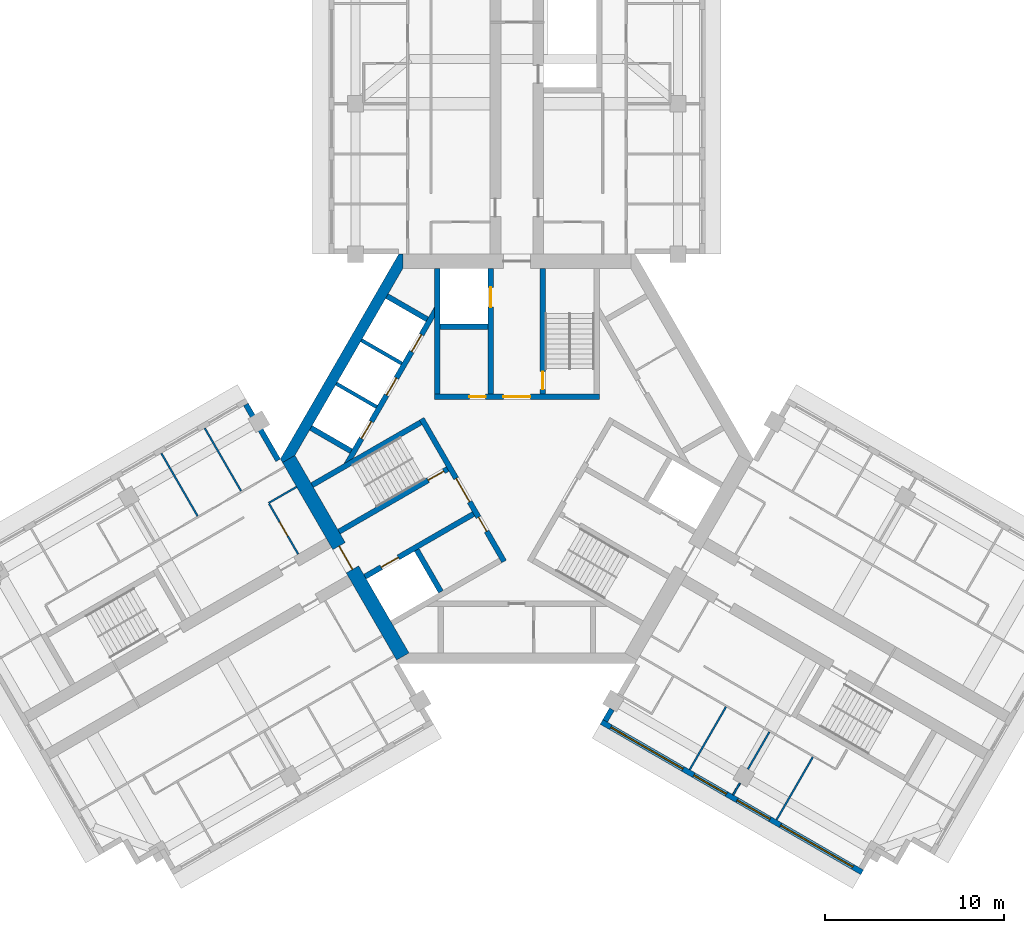
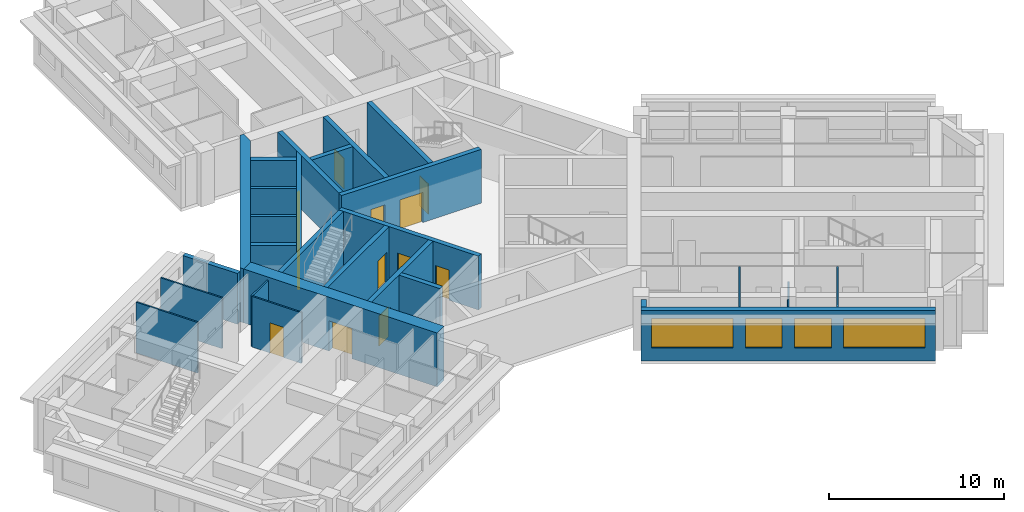
# One storey, part 4 of 10: 28 walls, 13 doors, 4 windows, 17 openings.
"""IFC4 building model written with IfcOpenShell, lengths in metres."""

import ifcopenshell
import ifcopenshell.guid

model = None  # the IFC model being written
_history = None  # IfcOwnerHistory: only IFC2X3 demands one
_inside = {}  # id of a spatial element -> (the spatial element, [elements in it])
_under = {}  # id of a project, library or spatial element -> (it, [spatial elements below it])
_declared = {}  # id of a project -> (the project, [libraries it declares])
_typed = {}  # id of a type object -> (the type object, [elements of that type])
_made_of = {}  # id of a material, layer set ... -> (it, [elements and type objects made of it])


def new_model(schema):
    """Start an empty IFC model of exactly this schema.

    Asked for "IFC4X3", IfcOpenShell would pick the latest addendum, in which some entities
    have other attributes; the version numbers below select the first issue.
    IFC2X3 requires an IfcOwnerHistory on every rooted entity: one is made here for all.
    """
    global model, _history
    if schema == "IFC4X3":
        model = ifcopenshell.file(schema_version=(4, 3, 0, 0))
    else:
        model = ifcopenshell.file(schema=schema)
    _inside.clear()
    _under.clear()
    _declared.clear()
    _typed.clear()
    _made_of.clear()
    _history = None
    if model.schema == "IFC2X3":
        org = make("IfcOrganization", Name="unknown")
        user = make(
            "IfcPersonAndOrganization",
            ThePerson=make("IfcPerson", FamilyName="unknown"),
            TheOrganization=org,
        )
        app = make(
            "IfcApplication",
            ApplicationDeveloper=org,
            Version="unknown",
            ApplicationFullName="unknown",
            ApplicationIdentifier="unknown",
        )
        _history = make(
            "IfcOwnerHistory",
            OwningUser=user,
            OwningApplication=app,
            ChangeAction="ADDED",
            CreationDate=0,
        )
    return model


def make(cls, **values):
    """One entity of the class cls with the attributes given. An attribute that is None is left unset."""
    return model.create_entity(
        cls, **{name: value for name, value in values.items() if value is not None}
    )


def rooted(cls, **values):
    """An entity with a GlobalId (a new one), such as an element, a storey or a relation."""
    return make(cls, GlobalId=ifcopenshell.guid.new(), OwnerHistory=_history, **values)


def si_unit(unit_type, name, prefix=None):
    """IfcSIUnit, for example si_unit("LENGTHUNIT", "METRE", prefix="MILLI")."""
    return make("IfcSIUnit", UnitType=unit_type, Prefix=prefix, Name=name)


def assignment(units):
    """IfcUnitAssignment: the units of a project."""
    return None if units is None else make("IfcUnitAssignment", Units=units)


def point(xyz):
    """IfcCartesianPoint."""
    return None if xyz is None else make("IfcCartesianPoint", Coordinates=xyz)


def direction(xyz):
    """IfcDirection."""
    return None if xyz is None else make("IfcDirection", DirectionRatios=xyz)


def frame(location, z_axis=None, x_axis=None):
    """IfcAxis2Placement3D, a coordinate frame: its origin and axes. An axis left out is left unset."""
    return make(
        "IfcAxis2Placement3D",
        Location=point(location),
        Axis=direction(z_axis),
        RefDirection=direction(x_axis),
    )


def frame_2d(location, x_axis=None):
    """IfcAxis2Placement2D, a coordinate frame in the plane: its origin and x axis."""
    return make(
        "IfcAxis2Placement2D", Location=point(location), RefDirection=direction(x_axis)
    )


def origin():
    """The frame at (0, 0, 0) with its axes left unset."""
    return frame((0.0, 0.0, 0.0))


def place(relative_to, where):
    """IfcLocalPlacement: puts the frame where relative to a parent placement (None: the world)."""
    return make(
        "IfcLocalPlacement", PlacementRelTo=relative_to, RelativePlacement=where
    )


def context(
    kind, dimensions, precision=None, world=None, true_north=None, identifier=None
):
    """IfcGeometricRepresentationContext, for example the 3D "Model" context."""
    return make(
        "IfcGeometricRepresentationContext",
        ContextIdentifier=identifier,
        ContextType=kind,
        CoordinateSpaceDimension=dimensions,
        Precision=precision,
        WorldCoordinateSystem=world,
        TrueNorth=true_north,
    )


def subcontext(parent, identifier, kind, view, scale=None):
    """IfcGeometricRepresentationSubContext, for example "Body" below "Model"."""
    return make(
        "IfcGeometricRepresentationSubContext",
        ContextIdentifier=identifier,
        ContextType=kind,
        ParentContext=parent,
        TargetScale=scale,
        TargetView=view,
    )


def project(units=None, contexts=None):
    """IfcProject with its units and contexts."""
    return rooted(
        "IfcProject",
        Name="project",
        RepresentationContexts=contexts,
        UnitsInContext=assignment(units),
    )


def spatial(cls, under=None, at=None, **own):
    """A site, building, storey or space (cls), placed at a placement, below another one or the project."""
    s = rooted(cls, ObjectPlacement=at, **own)
    if under is not None:
        _under.setdefault(under.id(), (under, []))[1].append(s)
    return s


def polyline(points):
    """IfcPolyline through the points."""
    return make("IfcPolyline", Points=[point(p) for p in points])


def profile(cls, at=None, kind="AREA", **sizes):
    """A parametric profile (cls). Its sizes go by their IFC names, for example OverallWidth=200.0."""
    return make(cls, ProfileType=kind, Position=at, **sizes)


def rectangle(**sizes):
    """IfcRectangleProfileDef."""
    return profile("IfcRectangleProfileDef", **sizes)


def outline(outer, holes=None, kind="AREA"):
    """IfcArbitraryClosedProfileDef: a profile drawn as a closed curve; with holes, ...WithVoids."""
    if holes is None:
        return make("IfcArbitraryClosedProfileDef", ProfileType=kind, OuterCurve=outer)
    return make(
        "IfcArbitraryProfileDefWithVoids",
        ProfileType=kind,
        OuterCurve=outer,
        InnerCurves=holes,
    )


def extrude(swept, where, along, depth):
    """IfcExtrudedAreaSolid: the profile swept, set in the frame where, extruded along a direction by depth."""
    return make(
        "IfcExtrudedAreaSolid",
        SweptArea=swept,
        Position=where,
        ExtrudedDirection=direction(along),
        Depth=depth,
    )


def shape(context_of_items, identifier, shape_type, items):
    """IfcShapeRepresentation: the items that make up one representation, for example the "Body"."""
    return make(
        "IfcShapeRepresentation",
        ContextOfItems=context_of_items,
        RepresentationIdentifier=identifier,
        RepresentationType=shape_type,
        Items=items,
    )


def material(Name=None, Category=None):
    """IfcMaterial."""
    return make("IfcMaterial", Name=Name, Category=Category)


def layer(
    of_material, thickness, ventilated=None, Name=None, Category=None, Priority=None
):
    """IfcMaterialLayer: one layer of a wall or slab, of a material (None: an air gap)."""
    return make(
        "IfcMaterialLayer",
        Material=of_material,
        LayerThickness=thickness,
        IsVentilated=ventilated,
        Name=Name,
        Category=Category,
        Priority=Priority,
    )


def layer_set(layers, Name=None):
    """IfcMaterialLayerSet."""
    return make("IfcMaterialLayerSet", MaterialLayers=layers, LayerSetName=Name)


def made_of(thing, what):
    """Note that an element or type object is made of a material, layer set ...; save() writes the relation."""
    if what is not None:
        _made_of.setdefault(what.id(), (what, []))[1].append(thing)
    return thing


def type_object(cls, material=None, **own):
    """A type object (cls), such as IfcWallType, which elements share."""
    return made_of(rooted(cls, **own), material)


def element(
    cls,
    number,
    at=None,
    inside=None,
    cuts=None,
    type_object=None,
    material=None,
    context=None,
    identifier="Body",
    shape_type=None,
    held_by="IfcProductDefinitionShape",
    body=None,
    shapes=None,
    **own,
):
    """One element of the class cls, such as IfcWall. Its Tag is "e" and its number.

    at: its placement. inside: the storey or other place that contains it. cuts: it is an
    opening in that element (IfcRelVoidsElement). A single representation is given by context,
    identifier, shape_type and body (its items); several are given by shapes. held_by: the class
    of the entity that holds the representations. save() writes the other relations.
    """
    e = rooted(cls, Tag="e%d" % number, ObjectPlacement=at, **own)
    if body is not None:
        shapes = [shape(context, identifier, shape_type, body)]
    if shapes is not None:
        e.Representation = make(held_by, Representations=shapes)
    if inside is not None:
        _inside.setdefault(inside.id(), (inside, []))[1].append(e)
    if cuts is not None:
        rooted(
            "IfcRelVoidsElement", RelatingBuildingElement=cuts, RelatedOpeningElement=e
        )
    if type_object is not None:
        _typed.setdefault(type_object.id(), (type_object, []))[1].append(e)
    return made_of(e, material)


def fill(opening, filler):
    """IfcRelFillsElement: the door or window that sits in an opening."""
    return rooted(
        "IfcRelFillsElement",
        RelatingOpeningElement=opening,
        RelatedBuildingElement=filler,
    )


def aggregate(whole, parts):
    """IfcRelAggregates: a whole, such as a stair, and the parts it consists of."""
    return rooted("IfcRelAggregates", RelatingObject=whole, RelatedObjects=parts)


def save(model, path):
    """Write the relations noted so far, then the file.

    IfcRelAggregates (storeys below a building ...), IfcRelContainedInSpatialStructure (elements
    in a storey), IfcRelDefinesByType, IfcRelAssociatesMaterial and IfcRelDeclares: one each for
    every whole, place, type object, material and project.
    """
    for whole, parts in _under.values():
        aggregate(whole, parts)
    for where, things in _inside.values():
        rooted(
            "IfcRelContainedInSpatialStructure",
            RelatedElements=things,
            RelatingStructure=where,
        )
    for kind, things in _typed.values():
        rooted("IfcRelDefinesByType", RelatedObjects=things, RelatingType=kind)
    for what, things in _made_of.values():
        rooted("IfcRelAssociatesMaterial", RelatedObjects=things, RelatingMaterial=what)
    for by, libraries in _declared.values():
        rooted("IfcRelDeclares", RelatingContext=by, RelatedDefinitions=libraries)
    model.write(path)


model = new_model("IFC4")

# Units and contexts
model_context = context("Model", 3, precision=1e-05, world=origin(), true_north=direction((0.0, 1.0)))
body_context = subcontext(model_context, "Body", "Model", "MODEL_VIEW")
ifc_project = project(units=[si_unit("LENGTHUNIT", "METRE"), si_unit("AREAUNIT", "SQUARE_METRE"), si_unit("VOLUMEUNIT", "CUBIC_METRE"), si_unit("PLANEANGLEUNIT", "RADIAN"), si_unit("MASSUNIT", "GRAM", prefix="KILO")], contexts=[model_context])

# Site, building, storey
site_placement = place(None, origin())
site = spatial("IfcSite", under=ifc_project, at=site_placement, CompositionType="ELEMENT")
building_placement = place(site_placement, origin())
building = spatial("IfcBuilding", under=site, at=building_placement, Name="Impinga Residences", CompositionType="ELEMENT")
storey_placement = place(building_placement, frame((0.0, 0.0, 271.0)))
storey = spatial("IfcBuildingStorey", under=building, at=storey_placement, Name="L68", CompositionType="ELEMENT", Elevation=271.0)

# Wall
ifc_material_1 = material(Name="Terracotta rainscreen on blockwork", Category="masonry")
ifc_layer_1 = layer(ifc_material_1, 0.300048828125)
ifc_layer_set_1 = layer_set([ifc_layer_1], Name="EW1 external wall, terracotta rainscreen on blockwork 300")
wall_type_1 = type_object("IfcWallType", Name="EW1 external wall, terracotta rainscreen on blockwork 300", PredefinedType="SOLIDWALL", material=ifc_layer_set_1)
wall_1_placement = place(storey_placement, frame((-15.1298828125, 3.042724609375, 0.0), z_axis=(0.0, 0.0, 1.0), x_axis=(0.500012057535, -0.866018442252, 0.0)))
element("IfcWall", 1, at=wall_1_placement, inside=storey, type_object=wall_type_1, Name="External wall EW1 L68", PredefinedType="SOLIDWALL", context=body_context, shape_type="SweptSolid", body=[
    extrude(rectangle(XDim=3.60009765625, YDim=0.300048828125, at=frame_2d((1.800048828125, 0.0))), origin(), (0.0, 0.0, 1.0), 3.530029296875),
])

# Wall, openings, windows
wall_2_placement = place(storey_placement, frame((19.274169921875, -23.0791015625, 0.0), z_axis=(0.0, 0.0, 1.0), x_axis=(-0.86602562146, 0.499999622975, 0.0)))
wall_2 = element("IfcWall", 2, at=wall_2_placement, inside=storey, type_object=wall_type_1, Name="External wall EW1 L68", PredefinedType="SOLIDWALL", context=body_context, shape_type="SweptSolid", body=[
    extrude(rectangle(XDim=16.7998046875, YDim=0.300048828125, at=frame_2d((8.39990234375, 0.0))), origin(), (0.0, 0.0, 1.0), 3.530029296875),
])
opening_1_placement = place(wall_2_placement, frame((0.60009765625, 0.0, 0.89990234375)))
opening_1 = element("IfcOpeningElement", 3, at=opening_1_placement, cuts=wall_2, Name="Opening W10", PredefinedType="OPENING", context=body_context, shape_type="SweptSolid", body=[
    extrude(rectangle(XDim=4.64990234375, YDim=2.050048828125, at=frame_2d((2.324951171875, 1.02490234375))), frame((0.0, 0.159912109375, 0.0), z_axis=(0.0, -1.0, 0.0), x_axis=(1.0, 0.0, 0.0)), (0.0, 0.0, 1.0), 0.320068359375),
])
opening_2_placement = place(wall_2_placement, frame((5.949951171875, 0.0, 0.89990234375)))
opening_2 = element("IfcOpeningElement", 4, at=opening_2_placement, cuts=wall_2, Name="Opening W9", PredefinedType="OPENING", context=body_context, shape_type="SweptSolid", body=[
    extrude(rectangle(XDim=2.10009765625, YDim=2.050048828125, at=frame_2d((1.050048828125, 1.02490234375))), frame((0.0, 0.159912109375, 0.0), z_axis=(0.0, -1.0, 0.0), x_axis=(1.0, 0.0, 0.0)), (0.0, 0.0, 1.0), 0.320068359375),
])
opening_3_placement = place(wall_2_placement, frame((8.75, 0.0, 0.89990234375)))
opening_3 = element("IfcOpeningElement", 5, at=opening_3_placement, cuts=wall_2, Name="Opening W9", PredefinedType="OPENING", context=body_context, shape_type="SweptSolid", body=[
    extrude(rectangle(XDim=2.10009765625, YDim=2.050048828125, at=frame_2d((1.050048828125, 1.02490234375))), frame((0.0, 0.159912109375, 0.0), z_axis=(0.0, -1.0, 0.0), x_axis=(1.0, 0.0, 0.0)), (0.0, 0.0, 1.0), 0.320068359375),
])
opening_4_placement = place(wall_2_placement, frame((11.550048828125, 0.0, 0.89990234375)))
opening_4 = element("IfcOpeningElement", 6, at=opening_4_placement, cuts=wall_2, Name="Opening W10", PredefinedType="OPENING", context=body_context, shape_type="SweptSolid", body=[
    extrude(rectangle(XDim=4.64990234375, YDim=2.050048828125, at=frame_2d((2.324951171875, 1.02490234375))), frame((0.0, 0.159912109375, 0.0), z_axis=(0.0, -1.0, 0.0), x_axis=(1.0, 0.0, 0.0)), (0.0, 0.0, 1.0), 0.320068359375),
])
ifc_material_2 = material(Name="Aluminium window, clear double glazing", Category="aluminium")
window_type_1 = type_object("IfcWindowType", Name="W10 ribbon window 4650x2050", PartitioningType="SINGLE_PANEL", PredefinedType="WINDOW", material=ifc_material_2)
window_1_placement = place(opening_1_placement, origin())
window_1 = element("IfcWindow", 7, at=window_1_placement, inside=storey, type_object=window_type_1, Name="Window L68", OverallHeight=2.050048828125, OverallWidth=4.64990234375, PartitioningType="SINGLE_PANEL", PredefinedType="WINDOW", context=body_context, shape_type="SweptSolid", body=[
    extrude(rectangle(XDim=4.64990234375, YDim=2.050048828125, at=frame_2d((2.324951171875, 1.02490234375))), frame((0.0, 0.030029296875, 0.0), z_axis=(0.0, -1.0, 0.0), x_axis=(1.0, 0.0, 0.0)), (0.0, 0.0, 1.0), 0.06005859375),
])
fill(opening_1, window_1)
window_2_placement = place(opening_4_placement, origin())
window_2 = element("IfcWindow", 8, at=window_2_placement, inside=storey, type_object=window_type_1, Name="Window L68", OverallHeight=2.050048828125, OverallWidth=4.64990234375, PartitioningType="SINGLE_PANEL", PredefinedType="WINDOW", context=body_context, shape_type="SweptSolid", body=[
    extrude(rectangle(XDim=4.64990234375, YDim=2.050048828125, at=frame_2d((2.324951171875, 1.02490234375))), frame((0.0, 0.030029296875, 0.0), z_axis=(0.0, -1.0, 0.0), x_axis=(1.0, 0.0, 0.0)), (0.0, 0.0, 1.0), 0.06005859375),
])
fill(opening_4, window_2)
window_type_2 = type_object("IfcWindowType", Name="W9 ribbon window 2100x2050", PartitioningType="SINGLE_PANEL", PredefinedType="WINDOW", material=ifc_material_2)
window_3_placement = place(opening_2_placement, origin())
window_3 = element("IfcWindow", 9, at=window_3_placement, inside=storey, type_object=window_type_2, Name="Window L68", OverallHeight=2.050048828125, OverallWidth=2.10009765625, PartitioningType="SINGLE_PANEL", PredefinedType="WINDOW", context=body_context, shape_type="SweptSolid", body=[
    extrude(rectangle(XDim=2.10009765625, YDim=2.050048828125, at=frame_2d((1.050048828125, 1.02490234375))), frame((0.0, 0.030029296875, 0.0), z_axis=(0.0, -1.0, 0.0), x_axis=(1.0, 0.0, 0.0)), (0.0, 0.0, 1.0), 0.06005859375),
])
fill(opening_2, window_3)
window_4_placement = place(opening_3_placement, origin())
window_4 = element("IfcWindow", 10, at=window_4_placement, inside=storey, type_object=window_type_2, Name="Window L68", OverallHeight=2.050048828125, OverallWidth=2.10009765625, PartitioningType="SINGLE_PANEL", PredefinedType="WINDOW", context=body_context, shape_type="SweptSolid", body=[
    extrude(rectangle(XDim=2.10009765625, YDim=2.050048828125, at=frame_2d((1.050048828125, 1.02490234375))), frame((0.0, 0.030029296875, 0.0), z_axis=(0.0, -1.0, 0.0), x_axis=(1.0, 0.0, 0.0)), (0.0, 0.0, 1.0), 0.06005859375),
])
fill(opening_3, window_4)

# Walls
wall_3_placement = place(storey_placement, frame((4.929931640625, -14.624267578125, 0.0), z_axis=(0.0, 0.0, 1.0), x_axis=(0.499919672301, 0.866071776036, 0.0)))
element("IfcWall", 11, at=wall_3_placement, inside=storey, type_object=wall_type_1, Name="External wall EW1 L68", PredefinedType="SOLIDWALL", context=body_context, shape_type="SweptSolid", body=[
    extrude(rectangle(XDim=0.75, YDim=0.300048828125, at=frame_2d((0.375, 0.0))), origin(), (0.0, 0.0, 1.0), 3.530029296875),
])
ifc_material_3 = material(Name="Gypsum board on steel studs", Category="steel")
ifc_layer_2 = layer(ifc_material_3, 0.10009765625)
ifc_layer_set_2 = layer_set([ifc_layer_2], Name="Gypsum board on steel studs")
wall_type_2 = type_object("IfcWallType", Name="IP1 partition 100", PredefinedType="PARTITIONING", material=ifc_layer_set_2)
wall_4_placement = place(storey_placement, frame((-12.300048828125, -1.558837890625, 0.0), z_axis=(0.0, 0.0, 1.0), x_axis=(-0.866047807691, -0.499961193289, 0.0)))
element("IfcWall", 12, at=wall_4_placement, inside=storey, type_object=wall_type_2, Name="Partition L68-WF1:DIV0", PredefinedType="PARTITIONING", context=body_context, shape_type="SweptSolid", body=[
    extrude(rectangle(XDim=1.800048828125, YDim=0.10009765625, at=frame_2d((0.89990234375, 0.0))), origin(), (0.0, 0.0, 1.0), 3.530029296875),
])

# Wall, opening, door
wall_5_placement = place(storey_placement, frame((-12.208740234375, -5.316650390625, 0.0), z_axis=(0.0, 0.0, 1.0), x_axis=(-0.500017246033, 0.866015446554, 0.0)))
wall_5 = element("IfcWall", 13, at=wall_5_placement, inside=storey, type_object=wall_type_2, Name="Partition L68-WF1:IB1", PredefinedType="PARTITIONING", context=body_context, shape_type="SweptSolid", body=[
    extrude(rectangle(XDim=3.25, YDim=0.10009765625, at=frame_2d((1.625, 0.0))), origin(), (0.0, 0.0, 1.0), 3.530029296875),
])
opening_5_placement = place(wall_5_placement, frame((1.175048828125, 0.0, 0.0)))
opening_5 = element("IfcOpeningElement", 14, at=opening_5_placement, cuts=wall_5, Name="Opening D2", PredefinedType="OPENING", context=body_context, shape_type="SweptSolid", body=[
    extrude(rectangle(XDim=0.89990234375, YDim=2.10009765625, at=frame_2d((0.449951171875, 1.050048828125))), frame((0.0, 0.06005859375, 0.0), z_axis=(0.0, -1.0, 0.0), x_axis=(1.0, 0.0, 0.0)), (0.0, 0.0, 1.0), 0.1201171875),
])
ifc_material_4 = material(Name="Timber door set", Category="wood")
door_type_1 = type_object("IfcDoorType", Name="D2 internal door 900x2100", OperationType="SINGLE_SWING_LEFT", PredefinedType="DOOR", material=ifc_material_4)
door_1_placement = place(opening_5_placement, origin())
door_1 = element("IfcDoor", 15, at=door_1_placement, inside=storey, type_object=door_type_1, Name="Apartment L68-WF1 bathroom door", OperationType="SINGLE_SWING_LEFT", OverallHeight=2.10009765625, OverallWidth=0.89990234375, PredefinedType="DOOR", context=body_context, shape_type="SweptSolid", body=[
    extrude(rectangle(XDim=0.89990234375, YDim=2.10009765625, at=frame_2d((0.449951171875, 1.050048828125))), frame((0.0, 0.02490234375, 0.0), z_axis=(0.0, -1.0, 0.0), x_axis=(1.0, 0.0, 0.0)), (0.0, 0.0, 1.0), 0.050048828125),
])
fill(opening_5, door_1)

# Walls
for number, where, z_axis, x_axis, name in (
    (16, (-15.39990234375, -1.789794921875, 0.0), (0.0, 0.0, 1.0), (-0.499964223975, 0.866046058097, 0.0), "Partition L68-WF1:OB1"),
    (17, (-17.82470703125, -3.189697265625, 0.0), (0.0, 0.0, 1.0), (-0.500035537042, 0.866004885491, 0.0), "Partition L68-WF1:OB2"),
    (18, (11.6748046875, -13.841796875, 0.0), (0.0, 0.0, 1.0), (-0.500035537042, -0.866004885491, 0.0), "Partition L68-EF1:OB1"),
):
    element("IfcWall", number, at=place(storey_placement, frame(where, z_axis=z_axis, x_axis=x_axis)), inside=storey, type_object=wall_type_2, Name=name, PredefinedType="PARTITIONING", context=body_context, shape_type="SweptSolid", body=[
        extrude(rectangle(XDim=4.050048828125, YDim=0.10009765625, at=frame_2d((2.02490234375, 0.0))), origin(), (0.0, 0.0, 1.0), 3.530029296875),
    ])
wall_6_placement = place(storey_placement, frame((14.099609375, -15.241943359375, 0.0), z_axis=(0.0, 0.0, 1.0), x_axis=(-0.500001309137, -0.866024647952, 0.0)))
element("IfcWall", 19, at=wall_6_placement, inside=storey, type_object=wall_type_2, Name="Partition L68-EF1:OB2", PredefinedType="PARTITIONING", context=body_context, shape_type="SweptSolid", body=[
    extrude(rectangle(XDim=2.39990234375, YDim=0.10009765625, at=frame_2d((1.199951171875, 0.0))), origin(), (0.0, 0.0, 1.0), 2.47998046875),
])
wall_7_placement = place(storey_placement, frame((12.44970703125, -18.099609375, 0.0), z_axis=(0.0, 0.0, 1.0), x_axis=(-0.499919672301, -0.866071776036, 0.0)))
element("IfcWall", 20, at=wall_7_placement, inside=storey, type_object=wall_type_2, Name="Partition L68-EF1:OB2b", PredefinedType="PARTITIONING", context=body_context, shape_type="SweptSolid", body=[
    extrude(rectangle(XDim=0.75, YDim=0.10009765625, at=frame_2d((0.375, 0.0))), origin(), (0.0, 0.0, 1.0), 3.530029296875),
])
wall_8_placement = place(storey_placement, frame((16.5244140625, -16.641845703125, 0.0), z_axis=(0.0, 0.0, 1.0), x_axis=(-0.499990325971, -0.866030989016, 0.0)))
element("IfcWall", 21, at=wall_8_placement, inside=storey, type_object=wall_type_2, Name="Partition L68-EF1:OB3", PredefinedType="PARTITIONING", context=body_context, shape_type="SweptSolid", body=[
    extrude(rectangle(XDim=4.0498046875, YDim=0.10009765625, at=frame_2d((2.02490234375, 0.0))), origin(), (0.0, 0.0, 1.0), 3.530029296875),
])

# Wall, opening, door
ifc_material_5 = material(Name="Concrete C60/75", Category="concrete")
ifc_layer_3 = layer(ifc_material_5, 0.800048828125)
ifc_layer_set_3 = layer_set([ifc_layer_3], Name="Concrete C60/75")
wall_type_3 = type_object("IfcWallType", Name="SW2 core wall 800", PredefinedType="SHEAR", material=ifc_layer_set_3)
wall_9_placement = place(storey_placement, frame((-6.369140625, -11.031494140625, 0.0), z_axis=(0.0, 0.0, 1.0), x_axis=(-0.499991778872, 0.866030150203, 0.0)))
wall_9 = element("IfcWall", 22, at=wall_9_placement, inside=storey, type_object=wall_type_3, Name="Core wall SW2 W:FACE L68", PredefinedType="SHEAR", context=body_context, shape_type="SweptSolid", body=[
    extrude(rectangle(XDim=12.738037109375, YDim=0.800048828125, at=frame_2d((6.369140625, 0.0))), origin(), (0.0, 0.0, 1.0), 3.75),
])
opening_6_placement = place(wall_9_placement, frame((5.619140625, 0.0, 0.0)))
opening_6 = element("IfcOpeningElement", 23, at=opening_6_placement, cuts=wall_9, Name="Opening D4", PredefinedType="OPENING", context=body_context, shape_type="SweptSolid", body=[
    extrude(rectangle(XDim=1.5, YDim=2.10009765625, at=frame_2d((0.75, 1.050048828125))), frame((0.0, 0.409912109375, 0.0), z_axis=(0.0, -1.0, 0.0), x_axis=(1.0, 0.0, 0.0)), (0.0, 0.0, 1.0), 0.820068359375),
])
door_type_2 = type_object("IfcDoorType", Name="D4 lobby door pair 1500x2100", OperationType="DOUBLE_DOOR_DOUBLE_SWING", PredefinedType="DOOR", material=ifc_material_4)
door_2_placement = place(opening_6_placement, origin())
door_2 = element("IfcDoor", 24, at=door_2_placement, inside=storey, type_object=door_type_2, Name="Lobby door W", OperationType="DOUBLE_DOOR_DOUBLE_SWING", OverallHeight=2.10009765625, OverallWidth=1.5, PredefinedType="DOOR", context=body_context, shape_type="SweptSolid", body=[
    extrude(rectangle(XDim=1.5, YDim=2.10009765625, at=frame_2d((0.75, 1.050048828125))), frame((0.0, 0.02490234375, 0.0), z_axis=(0.0, -1.0, 0.0), x_axis=(1.0, 0.0, 0.0)), (0.0, 0.0, 1.0), 0.050048828125),
])
fill(opening_6, door_2)

# Wall
ifc_layer_4 = layer(ifc_material_5, 0.60009765625)
ifc_layer_set_4 = layer_set([ifc_layer_4], Name="Concrete C60/75")
wall_type_4 = type_object("IfcWallType", Name="SW4 core wall, crown 600", PredefinedType="SHEAR", material=ifc_layer_set_4)
wall_10_placement = place(storey_placement, origin())
element("IfcWall", 25, at=wall_10_placement, inside=storey, type_object=wall_type_4, Name="Core wall SW4 E:EXPOSED L68", PredefinedType="SHEAR", context=body_context, shape_type="SweptSolid", body=[
    extrude(outline(polyline([(-6.60009765625, 11.431640625), (-13.199951171875, 0.0), (-13.08447265625, -0.199951171875), (-12.3916015625, 0.199951171875), (-6.369140625, 10.631591796875), (-6.369140625, 11.431640625), (-6.60009765625, 11.431640625)])), origin(), (0.0, 0.0, 1.0), 3.75),
])

# Wall, openings, doors
ifc_material_6 = material(Name="Concrete C70/85", Category="concrete")
ifc_layer_5 = layer(ifc_material_6, 0.300048828125)
ifc_layer_set_5 = layer_set([ifc_layer_5], Name="Concrete C70/85")
wall_type_5 = type_object("IfcWallType", Name="SW5 core inner wall, stairs, shafts and lobbies 300", PredefinedType="SHEAR", material=ifc_layer_set_5)
wall_11_placement = place(storey_placement, frame((-4.60009765625, 3.47998046875, 0.0), z_axis=(0.0, 0.0, 1.0), x_axis=(1.0, 0.0, 0.0)))
wall_11 = element("IfcWall", 26, at=wall_11_placement, inside=storey, type_object=wall_type_5, Name="Core wall SW5 N:ZONE L68", PredefinedType="SHEAR", context=body_context, shape_type="SweptSolid", body=[
    extrude(rectangle(XDim=9.2001953125, YDim=0.300048828125, at=frame_2d((4.60009765625, 0.0))), origin(), (0.0, 0.0, 1.0), 3.75),
])
opening_7_placement = place(wall_11_placement, frame((3.85009765625, 0.0, 0.0)))
opening_7 = element("IfcOpeningElement", 27, at=opening_7_placement, cuts=wall_11, Name="Opening D4", PredefinedType="OPENING", context=body_context, shape_type="SweptSolid", body=[
    extrude(rectangle(XDim=1.5, YDim=2.10009765625, at=frame_2d((0.75, 1.050048828125))), frame((0.0, 0.159912109375, 0.0), z_axis=(0.0, -1.0, 0.0), x_axis=(1.0, 0.0, 0.0)), (0.0, 0.0, 1.0), 0.320068359375),
])
opening_8_placement = place(wall_11_placement, frame((1.949951171875, 0.0, 0.0)))
opening_8 = element("IfcOpeningElement", 28, at=opening_8_placement, cuts=wall_11, Name="Opening D6", PredefinedType="OPENING", context=body_context, shape_type="SweptSolid", body=[
    extrude(rectangle(XDim=0.89990234375, YDim=2.10009765625, at=frame_2d((0.449951171875, 1.050048828125))), frame((0.0, 0.159912109375, 0.0), z_axis=(0.0, -1.0, 0.0), x_axis=(1.0, 0.0, 0.0)), (0.0, 0.0, 1.0), 0.320068359375),
])
door_3_placement = place(opening_7_placement, origin())
door_3 = element("IfcDoor", 29, at=door_3_placement, inside=storey, type_object=door_type_2, Name="Firefighting lobby door N", OperationType="DOUBLE_DOOR_DOUBLE_SWING", OverallHeight=2.10009765625, OverallWidth=1.5, PredefinedType="DOOR", context=body_context, shape_type="SweptSolid", body=[
    extrude(rectangle(XDim=1.5, YDim=2.10009765625, at=frame_2d((0.75, 1.050048828125))), frame((0.0, 0.02490234375, 0.0), z_axis=(0.0, -1.0, 0.0), x_axis=(1.0, 0.0, 0.0)), (0.0, 0.0, 1.0), 0.050048828125),
])
fill(opening_7, door_3)
door_type_3 = type_object("IfcDoorType", Name="D6 riser and store door 900x2100", OperationType="SINGLE_SWING_LEFT", PredefinedType="DOOR", material=ifc_material_4)
door_4_placement = place(opening_8_placement, origin())
door_4 = element("IfcDoor", 30, at=door_4_placement, inside=storey, type_object=door_type_3, Name="Riser door N", OperationType="SINGLE_SWING_LEFT", OverallHeight=2.10009765625, OverallWidth=0.89990234375, PredefinedType="DOOR", context=body_context, shape_type="SweptSolid", body=[
    extrude(rectangle(XDim=0.89990234375, YDim=2.10009765625, at=frame_2d((0.449951171875, 1.050048828125))), frame((0.0, 0.02490234375, 0.0), z_axis=(0.0, -1.0, 0.0), x_axis=(1.0, 0.0, 0.0)), (0.0, 0.0, 1.0), 0.050048828125),
])
fill(opening_8, door_4)

# Wall, opening, door
wall_12_placement = place(storey_placement, frame((1.449951171875, 3.6298828125, 0.0), z_axis=(0.0, 0.0, 1.0), x_axis=(0.0, 1.0, 0.0)))
wall_12 = element("IfcWall", 31, at=wall_12_placement, inside=storey, type_object=wall_type_5, Name="Core wall SW5 N:ST-IN L68", PredefinedType="SHEAR", context=body_context, shape_type="SweptSolid", body=[
    extrude(rectangle(XDim=7.001708984375, YDim=0.300048828125, at=frame_2d((3.5009765625, 0.0))), origin(), (0.0, 0.0, 1.0), 3.75),
])
opening_9_placement = place(wall_12_placement, frame((0.25, 0.0, 0.0)))
opening_9 = element("IfcOpeningElement", 32, at=opening_9_placement, cuts=wall_12, Name="Opening D5", PredefinedType="OPENING", context=body_context, shape_type="SweptSolid", body=[
    extrude(rectangle(XDim=1.0, YDim=2.10009765625, at=frame_2d((0.5, 1.050048828125))), frame((0.0, 0.159912109375, 0.0), z_axis=(0.0, -1.0, 0.0), x_axis=(1.0, 0.0, 0.0)), (0.0, 0.0, 1.0), 0.320068359375),
])
door_type_4 = type_object("IfcDoorType", Name="D5 stair door 1000x2100", OperationType="SINGLE_SWING_LEFT", PredefinedType="DOOR", material=ifc_material_4)
door_5_placement = place(opening_9_placement, origin())
door_5 = element("IfcDoor", 33, at=door_5_placement, inside=storey, type_object=door_type_4, Name="Stair door N", OperationType="SINGLE_SWING_LEFT", OverallHeight=2.10009765625, OverallWidth=1.0, PredefinedType="DOOR", context=body_context, shape_type="SweptSolid", body=[
    extrude(rectangle(XDim=1.0, YDim=2.10009765625, at=frame_2d((0.5, 1.050048828125))), frame((0.0, 0.02490234375, 0.0), z_axis=(0.0, -1.0, 0.0), x_axis=(1.0, 0.0, 0.0)), (0.0, 0.0, 1.0), 0.050048828125),
])
fill(opening_9, door_5)

wall_13_placement = place(storey_placement, frame((-1.449951171875, 3.6298828125, 0.0), z_axis=(0.0, 0.0, 1.0), x_axis=(0.0, 1.0, 0.0)))
wall_13 = element("IfcWall", 34, at=wall_13_placement, inside=storey, type_object=wall_type_5, Name="Core wall SW5 N:FF-IN L68", PredefinedType="SHEAR", context=body_context, shape_type="SweptSolid", body=[
    extrude(rectangle(XDim=7.001708984375, YDim=0.300048828125, at=frame_2d((3.5009765625, 0.0))), origin(), (0.0, 0.0, 1.0), 3.75),
])
opening_10_placement = place(wall_13_placement, frame((4.85009765625, 0.0, 0.0)))
opening_10 = element("IfcOpeningElement", 35, at=opening_10_placement, cuts=wall_13, Name="Opening LD2", PredefinedType="OPENING", context=body_context, shape_type="SweptSolid", body=[
    extrude(rectangle(XDim=1.10009765625, YDim=2.10009765625, at=frame_2d((0.550048828125, 1.050048828125))), frame((0.0, 0.159912109375, 0.0), z_axis=(0.0, -1.0, 0.0), x_axis=(1.0, 0.0, 0.0)), (0.0, 0.0, 1.0), 0.320068359375),
])
ifc_material_7 = material(Name="Steel lift landing door", Category="steel")
door_type_5 = type_object("IfcDoorType", Name="LD2 firefighting lift landing door 1100x2100", OperationType="DOUBLE_DOOR_SLIDING", PredefinedType="DOOR", material=ifc_material_7)
door_6_placement = place(opening_10_placement, origin())
door_6 = element("IfcDoor", 36, at=door_6_placement, inside=storey, type_object=door_type_5, Name="Firefighting lift landing door F1", OperationType="DOUBLE_DOOR_SLIDING", OverallHeight=2.10009765625, OverallWidth=1.10009765625, PredefinedType="DOOR", context=body_context, shape_type="SweptSolid", body=[
    extrude(rectangle(XDim=1.10009765625, YDim=2.10009765625, at=frame_2d((0.550048828125, 1.050048828125))), frame((0.0, 0.02490234375, 0.0), z_axis=(0.0, -1.0, 0.0), x_axis=(1.0, 0.0, 0.0)), (0.0, 0.0, 1.0), 0.050048828125),
])
fill(opening_10, door_6)

# Walls
wall_14_placement = place(storey_placement, frame((-4.449951171875, 3.6298828125, 0.0), z_axis=(0.0, 0.0, 1.0), x_axis=(0.0, 1.0, 0.0)))
element("IfcWall", 37, at=wall_14_placement, inside=storey, type_object=wall_type_5, Name="Core wall SW5 N:FF-OUT L68", PredefinedType="SHEAR", context=body_context, shape_type="SweptSolid", body=[
    extrude(rectangle(XDim=7.001708984375, YDim=0.300048828125, at=frame_2d((3.5009765625, 0.0))), origin(), (0.0, 0.0, 1.0), 3.75),
])
wall_15_placement = place(storey_placement, frame((-4.300048828125, 7.3798828125, 0.0), z_axis=(0.0, 0.0, 1.0), x_axis=(1.0, 0.0, 0.0)))
element("IfcWall", 38, at=wall_15_placement, inside=storey, type_object=wall_type_5, Name="Core wall SW5 N:FF-RS L68", PredefinedType="SHEAR", context=body_context, shape_type="SweptSolid", body=[
    extrude(rectangle(XDim=2.699951171875, YDim=0.300048828125, at=frame_2d((1.35009765625, 0.0))), origin(), (0.0, 0.0, 1.0), 3.75),
])

# Wall, openings, doors
wall_16_placement = place(storey_placement, frame((-0.7138671875, -5.7236328125, 0.0), z_axis=(0.0, 0.0, 1.0), x_axis=(-0.499995050369, 0.866028261437, 0.0)))
wall_16 = element("IfcWall", 39, at=wall_16_placement, inside=storey, type_object=wall_type_5, Name="Core wall SW5 W:ZONE L68", PredefinedType="SHEAR", context=body_context, shape_type="SweptSolid", body=[
    extrude(rectangle(XDim=9.19970703125, YDim=0.300048828125, at=frame_2d((4.599853515625, 0.0))), origin(), (0.0, 0.0, 1.0), 3.75),
])
opening_11_placement = place(wall_16_placement, frame((3.85009765625, 0.0, 0.0)))
opening_11 = element("IfcOpeningElement", 40, at=opening_11_placement, cuts=wall_16, Name="Opening D4", PredefinedType="OPENING", context=body_context, shape_type="SweptSolid", body=[
    extrude(rectangle(XDim=1.5, YDim=2.10009765625, at=frame_2d((0.75, 1.050048828125))), frame((0.0, 0.159912109375, 0.0), z_axis=(0.0, -1.0, 0.0), x_axis=(1.0, 0.0, 0.0)), (0.0, 0.0, 1.0), 0.320068359375),
])
opening_12_placement = place(wall_16_placement, frame((1.949951171875, 0.0, 0.0)))
opening_12 = element("IfcOpeningElement", 41, at=opening_12_placement, cuts=wall_16, Name="Opening D6", PredefinedType="OPENING", context=body_context, shape_type="SweptSolid", body=[
    extrude(rectangle(XDim=0.89990234375, YDim=2.10009765625, at=frame_2d((0.449951171875, 1.050048828125))), frame((0.0, 0.159912109375, 0.0), z_axis=(0.0, -1.0, 0.0), x_axis=(1.0, 0.0, 0.0)), (0.0, 0.0, 1.0), 0.320068359375),
])
door_7_placement = place(opening_11_placement, origin())
door_7 = element("IfcDoor", 42, at=door_7_placement, inside=storey, type_object=door_type_2, Name="Firefighting lobby door W", OperationType="DOUBLE_DOOR_DOUBLE_SWING", OverallHeight=2.10009765625, OverallWidth=1.5, PredefinedType="DOOR", context=body_context, shape_type="SweptSolid", body=[
    extrude(rectangle(XDim=1.5, YDim=2.10009765625, at=frame_2d((0.75, 1.050048828125))), frame((0.0, 0.02490234375, 0.0), z_axis=(0.0, -1.0, 0.0), x_axis=(1.0, 0.0, 0.0)), (0.0, 0.0, 1.0), 0.050048828125),
])
fill(opening_11, door_7)
door_8_placement = place(opening_12_placement, origin())
door_8 = element("IfcDoor", 43, at=door_8_placement, inside=storey, type_object=door_type_3, Name="Riser door W", OperationType="SINGLE_SWING_LEFT", OverallHeight=2.10009765625, OverallWidth=0.89990234375, PredefinedType="DOOR", context=body_context, shape_type="SweptSolid", body=[
    extrude(rectangle(XDim=0.89990234375, YDim=2.10009765625, at=frame_2d((0.449951171875, 1.050048828125))), frame((0.0, 0.02490234375, 0.0), z_axis=(0.0, -1.0, 0.0), x_axis=(1.0, 0.0, 0.0)), (0.0, 0.0, 1.0), 0.050048828125),
])
fill(opening_12, door_8)

# Wall, opening, door
wall_17_placement = place(storey_placement, frame((-3.86865234375, -0.559326171875, 0.0), z_axis=(0.0, 0.0, 1.0), x_axis=(-0.866026480128, -0.499998135713, 0.0)))
wall_17 = element("IfcWall", 44, at=wall_17_placement, inside=storey, type_object=wall_type_5, Name="Core wall SW5 W:ST-IN L68", PredefinedType="SHEAR", context=body_context, shape_type="SweptSolid", body=[
    extrude(rectangle(XDim=7.00146484375, YDim=0.300048828125, at=frame_2d((3.500732421875, 0.0))), origin(), (0.0, 0.0, 1.0), 3.75),
])
opening_13_placement = place(wall_17_placement, frame((0.25, 0.0, 0.0)))
opening_13 = element("IfcOpeningElement", 45, at=opening_13_placement, cuts=wall_17, Name="Opening D5", PredefinedType="OPENING", context=body_context, shape_type="SweptSolid", body=[
    extrude(rectangle(XDim=1.0, YDim=2.10009765625, at=frame_2d((0.5, 1.050048828125))), frame((0.0, 0.159912109375, 0.0), z_axis=(0.0, -1.0, 0.0), x_axis=(1.0, 0.0, 0.0)), (0.0, 0.0, 1.0), 0.320068359375),
])
door_9_placement = place(opening_13_placement, origin())
door_9 = element("IfcDoor", 46, at=door_9_placement, inside=storey, type_object=door_type_4, Name="Stair door W", OperationType="SINGLE_SWING_LEFT", OverallHeight=2.10009765625, OverallWidth=1.0, PredefinedType="DOOR", context=body_context, shape_type="SweptSolid", body=[
    extrude(rectangle(XDim=1.0, YDim=2.10009765625, at=frame_2d((0.5, 1.050048828125))), frame((0.0, 0.02490234375, 0.0), z_axis=(0.0, -1.0, 0.0), x_axis=(1.0, 0.0, 0.0)), (0.0, 0.0, 1.0), 0.050048828125),
])
fill(opening_13, door_9)

# Wall
wall_18_placement = place(storey_placement, frame((-5.36865234375, 2.038818359375, 0.0), z_axis=(0.0, 0.0, 1.0), x_axis=(-0.866026480128, -0.499998135713, 0.0)))
element("IfcWall", 47, at=wall_18_placement, inside=storey, type_object=wall_type_5, Name="Core wall SW5 W:ST-OUT L68", PredefinedType="SHEAR", context=body_context, shape_type="SweptSolid", body=[
    extrude(rectangle(XDim=7.00146484375, YDim=0.300048828125, at=frame_2d((3.500732421875, 0.0))), origin(), (0.0, 0.0, 1.0), 3.75),
])

# Wall, opening, door
wall_19_placement = place(storey_placement, frame((-2.418701171875, -3.07080078125, 0.0), z_axis=(0.0, 0.0, 1.0), x_axis=(-0.866026480128, -0.499998135713, 0.0)))
wall_19 = element("IfcWall", 48, at=wall_19_placement, inside=storey, type_object=wall_type_5, Name="Core wall SW5 W:FF-IN L68", PredefinedType="SHEAR", context=body_context, shape_type="SweptSolid", body=[
    extrude(rectangle(XDim=7.00146484375, YDim=0.300048828125, at=frame_2d((3.500732421875, 0.0))), origin(), (0.0, 0.0, 1.0), 3.75),
])
opening_14_placement = place(wall_19_placement, frame((4.85009765625, 0.0, 0.0)))
opening_14 = element("IfcOpeningElement", 49, at=opening_14_placement, cuts=wall_19, Name="Opening LD2", PredefinedType="OPENING", context=body_context, shape_type="SweptSolid", body=[
    extrude(rectangle(XDim=1.10009765625, YDim=2.10009765625, at=frame_2d((0.550048828125, 1.050048828125))), frame((0.0, 0.159912109375, 0.0), z_axis=(0.0, -1.0, 0.0), x_axis=(1.0, 0.0, 0.0)), (0.0, 0.0, 1.0), 0.320068359375),
])
door_10_placement = place(opening_14_placement, origin())
door_10 = element("IfcDoor", 50, at=door_10_placement, inside=storey, type_object=door_type_5, Name="Firefighting lift landing door F2", OperationType="DOUBLE_DOOR_SLIDING", OverallHeight=2.10009765625, OverallWidth=1.10009765625, PredefinedType="DOOR", context=body_context, shape_type="SweptSolid", body=[
    extrude(rectangle(XDim=1.10009765625, YDim=2.10009765625, at=frame_2d((0.550048828125, 1.050048828125))), frame((0.0, 0.02490234375, 0.0), z_axis=(0.0, -1.0, 0.0), x_axis=(1.0, 0.0, 0.0)), (0.0, 0.0, 1.0), 0.050048828125),
])
fill(opening_14, door_10)

# Wall
wall_20_placement = place(storey_placement, frame((-4.2412109375, -7.413818359375, 0.0), z_axis=(0.0, 0.0, 1.0), x_axis=(-0.500048589285, 0.86599734893, 0.0)))
element("IfcWall", 51, at=wall_20_placement, inside=storey, type_object=wall_type_5, Name="Core wall SW5 W:FF-RS L68", PredefinedType="SHEAR", context=body_context, shape_type="SweptSolid", body=[
    extrude(rectangle(XDim=2.699951171875, YDim=0.300048828125, at=frame_2d((1.35009765625, 0.0))), origin(), (0.0, 0.0, 1.0), 3.75),
])

# Wall, openings, doors
wall_21_placement = place(storey_placement, frame((-9.547607421875, -0.3740234375, 0.0), z_axis=(0.0, 0.0, 1.0), x_axis=(0.500002290144, 0.866024081565, 0.0)))
wall_21 = element("IfcWall", 52, at=wall_21_placement, inside=storey, type_object=wall_type_5, Name="Core wall SW5 E:BANK-FRONT L68", PredefinedType="SHEAR", context=body_context, shape_type="SweptSolid", body=[
    extrude(rectangle(XDim=10.1953125, YDim=0.300048828125, at=frame_2d((5.09765625, 0.0))), origin(), (0.0, 0.0, 1.0), 3.75),
])
opening_15_placement = place(wall_21_placement, frame((1.74755859375, 0.0, 0.0)))
opening_15 = element("IfcOpeningElement", 53, at=opening_15_placement, cuts=wall_21, Name="Opening LD1", PredefinedType="OPENING", context=body_context, shape_type="SweptSolid", body=[
    extrude(rectangle(XDim=1.10009765625, YDim=2.10009765625, at=frame_2d((0.550048828125, 1.050048828125))), frame((0.0, 0.159912109375, 0.0), z_axis=(0.0, -1.0, 0.0), x_axis=(1.0, 0.0, 0.0)), (0.0, 0.0, 1.0), 0.320068359375),
])
opening_16_placement = place(wall_21_placement, frame((4.547607421875, 0.0, 0.0)))
opening_16 = element("IfcOpeningElement", 54, at=opening_16_placement, cuts=wall_21, Name="Opening LD1", PredefinedType="OPENING", context=body_context, shape_type="SweptSolid", body=[
    extrude(rectangle(XDim=1.10009765625, YDim=2.10009765625, at=frame_2d((0.550048828125, 1.050048828125))), frame((0.0, 0.159912109375, 0.0), z_axis=(0.0, -1.0, 0.0), x_axis=(1.0, 0.0, 0.0)), (0.0, 0.0, 1.0), 0.320068359375),
])
opening_17_placement = place(wall_21_placement, frame((7.34765625, 0.0, 0.0)))
opening_17 = element("IfcOpeningElement", 55, at=opening_17_placement, cuts=wall_21, Name="Opening LD1", PredefinedType="OPENING", context=body_context, shape_type="SweptSolid", body=[
    extrude(rectangle(XDim=1.10009765625, YDim=2.10009765625, at=frame_2d((0.550048828125, 1.050048828125))), frame((0.0, 0.159912109375, 0.0), z_axis=(0.0, -1.0, 0.0), x_axis=(1.0, 0.0, 0.0)), (0.0, 0.0, 1.0), 0.320068359375),
])
door_type_6 = type_object("IfcDoorType", Name="LD1 passenger lift landing door 1100x2100", OperationType="DOUBLE_DOOR_SLIDING", PredefinedType="DOOR", material=ifc_material_7)
door_11_placement = place(opening_15_placement, origin())
door_11 = element("IfcDoor", 56, at=door_11_placement, inside=storey, type_object=door_type_6, Name="Lift landing door P7", OperationType="DOUBLE_DOOR_SLIDING", OverallHeight=2.10009765625, OverallWidth=1.10009765625, PredefinedType="DOOR", context=body_context, shape_type="SweptSolid", body=[
    extrude(rectangle(XDim=1.10009765625, YDim=2.10009765625, at=frame_2d((0.550048828125, 1.050048828125))), frame((0.0, 0.02490234375, 0.0), z_axis=(0.0, -1.0, 0.0), x_axis=(1.0, 0.0, 0.0)), (0.0, 0.0, 1.0), 0.050048828125),
])
fill(opening_15, door_11)
door_12_placement = place(opening_16_placement, origin())
door_12 = element("IfcDoor", 57, at=door_12_placement, inside=storey, type_object=door_type_6, Name="Lift landing door P8", OperationType="DOUBLE_DOOR_SLIDING", OverallHeight=2.10009765625, OverallWidth=1.10009765625, PredefinedType="DOOR", context=body_context, shape_type="SweptSolid", body=[
    extrude(rectangle(XDim=1.10009765625, YDim=2.10009765625, at=frame_2d((0.550048828125, 1.050048828125))), frame((0.0, 0.02490234375, 0.0), z_axis=(0.0, -1.0, 0.0), x_axis=(1.0, 0.0, 0.0)), (0.0, 0.0, 1.0), 0.050048828125),
])
fill(opening_16, door_12)
door_13_placement = place(opening_17_placement, origin())
door_13 = element("IfcDoor", 58, at=door_13_placement, inside=storey, type_object=door_type_6, Name="Lift landing door P9", OperationType="DOUBLE_DOOR_SLIDING", OverallHeight=2.10009765625, OverallWidth=1.10009765625, PredefinedType="DOOR", context=body_context, shape_type="SweptSolid", body=[
    extrude(rectangle(XDim=1.10009765625, YDim=2.10009765625, at=frame_2d((0.550048828125, 1.050048828125))), frame((0.0, 0.02490234375, 0.0), z_axis=(0.0, -1.0, 0.0), x_axis=(1.0, 0.0, 0.0)), (0.0, 0.0, 1.0), 0.050048828125),
])
fill(opening_17, door_13)

# Walls
for number, where, z_axis, x_axis, name in (
    (59, (-9.253662109375, 0.43505859375, 0.0), (0.0, 0.0, 1.0), (-0.866021400173, 0.500006934395, 0.0), "Core wall SW5 E:BANK-L L68"),
    (60, (-5.003662109375, 7.79638671875, 0.0), (0.0, 0.0, 1.0), (-0.866021400173, 0.500006934395, 0.0), "Core wall SW5 E:BANK-R L68"),
):
    element("IfcWall", number, at=place(storey_placement, frame(where, z_axis=z_axis, x_axis=x_axis)), inside=storey, type_object=wall_type_5, Name=name, PredefinedType="SHEAR", context=body_context, shape_type="SweptSolid", body=[
        extrude(rectangle(XDim=2.60009765625, YDim=0.300048828125, at=frame_2d((1.300048828125, 0.0))), origin(), (0.0, 0.0, 1.0), 3.75),
    ])
ifc_layer_6 = layer(ifc_material_6, 0.199951171875)
ifc_layer_set_6 = layer_set([ifc_layer_6], Name="Concrete C70/85")
wall_type_6 = type_object("IfcWallType", Name="SW6 lift shaft divider wall 200", PredefinedType="SHEAR", material=ifc_layer_set_6)
for number, where, z_axis, x_axis, name in (
    (61, (-7.82861328125, 2.9033203125, 0.0), (0.0, 0.0, 1.0), (-0.866021400173, 0.500006934395, 0.0), "Core wall SW6 E:BANK-D1 L68"),
    (62, (-6.4287109375, 5.328125, 0.0), (0.0, 0.0, 1.0), (-0.866021400173, 0.500006934395, 0.0), "Core wall SW6 E:BANK-D2 L68"),
):
    element("IfcWall", number, at=place(storey_placement, frame(where, z_axis=z_axis, x_axis=x_axis)), inside=storey, type_object=wall_type_6, Name=name, PredefinedType="SHEAR", context=body_context, shape_type="SweptSolid", body=[
        extrude(rectangle(XDim=2.60009765625, YDim=0.199951171875, at=frame_2d((1.300048828125, 0.0))), origin(), (0.0, 0.0, 1.0), 3.75),
    ])

save(model, "model.ifc")
